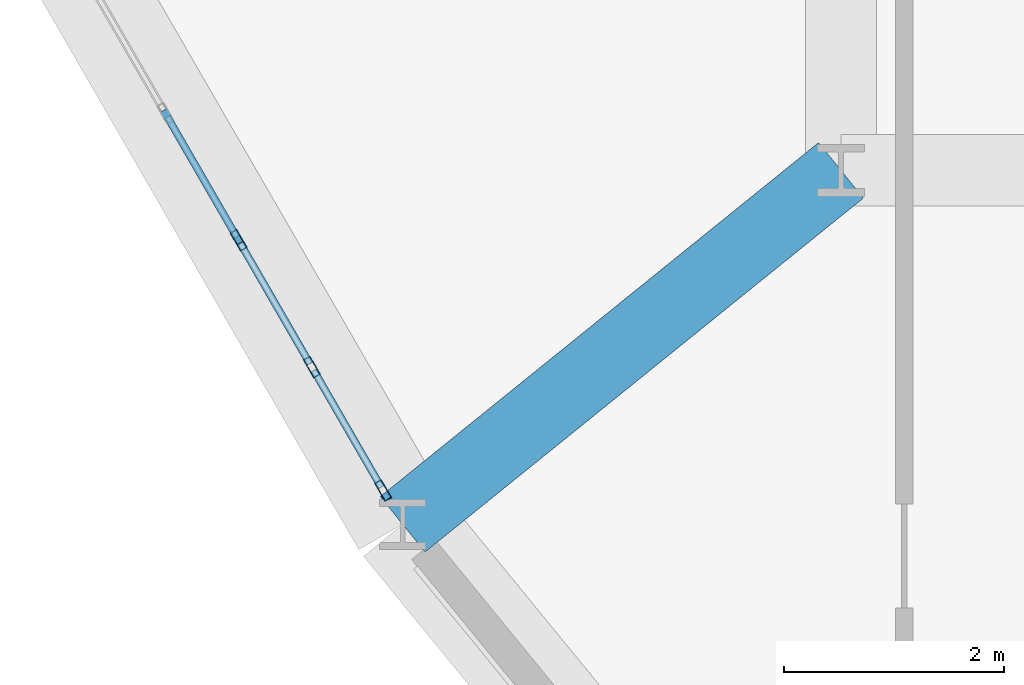
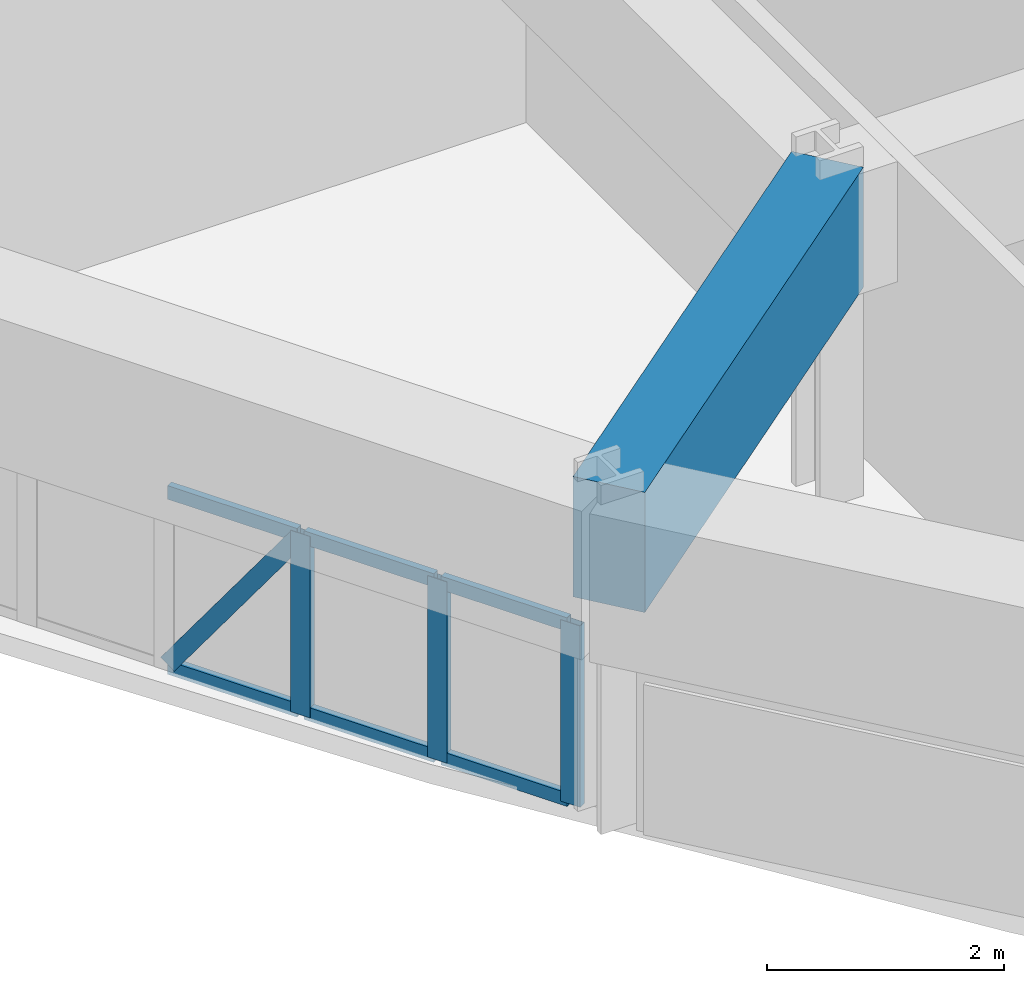
# One storey, part 2 of 15: 10 members, 1 beam, 1 element without a shape of its own.
"""IFC4 building model written with IfcOpenShell, lengths in metres."""

import ifcopenshell
import ifcopenshell.guid

model = None  # the IFC model being written
_history = None  # IfcOwnerHistory: only IFC2X3 demands one
_inside = {}  # id of a spatial element -> (the spatial element, [elements in it])
_under = {}  # id of a project, library or spatial element -> (it, [spatial elements below it])
_declared = {}  # id of a project -> (the project, [libraries it declares])
_typed = {}  # id of a type object -> (the type object, [elements of that type])
_made_of = {}  # id of a material, layer set ... -> (it, [elements and type objects made of it])


def new_model(schema):
    """Start an empty IFC model of exactly this schema.

    Asked for "IFC4X3", IfcOpenShell would pick the latest addendum, in which some entities
    have other attributes; the version numbers below select the first issue.
    IFC2X3 requires an IfcOwnerHistory on every rooted entity: one is made here for all.
    """
    global model, _history
    if schema == "IFC4X3":
        model = ifcopenshell.file(schema_version=(4, 3, 0, 0))
    else:
        model = ifcopenshell.file(schema=schema)
    _inside.clear()
    _under.clear()
    _declared.clear()
    _typed.clear()
    _made_of.clear()
    _history = None
    if model.schema == "IFC2X3":
        org = make("IfcOrganization", Name="unknown")
        user = make(
            "IfcPersonAndOrganization",
            ThePerson=make("IfcPerson", FamilyName="unknown"),
            TheOrganization=org,
        )
        app = make(
            "IfcApplication",
            ApplicationDeveloper=org,
            Version="unknown",
            ApplicationFullName="unknown",
            ApplicationIdentifier="unknown",
        )
        _history = make(
            "IfcOwnerHistory",
            OwningUser=user,
            OwningApplication=app,
            ChangeAction="ADDED",
            CreationDate=0,
        )
    return model


def make(cls, **values):
    """One entity of the class cls with the attributes given. An attribute that is None is left unset."""
    return model.create_entity(
        cls, **{name: value for name, value in values.items() if value is not None}
    )


def rooted(cls, **values):
    """An entity with a GlobalId (a new one), such as an element, a storey or a relation."""
    return make(cls, GlobalId=ifcopenshell.guid.new(), OwnerHistory=_history, **values)


def si_unit(unit_type, name, prefix=None):
    """IfcSIUnit, for example si_unit("LENGTHUNIT", "METRE", prefix="MILLI")."""
    return make("IfcSIUnit", UnitType=unit_type, Prefix=prefix, Name=name)


def derived_unit(unit_type, elements):
    """IfcDerivedUnit: a product of units, each with its exponent."""
    return make(
        "IfcDerivedUnit",
        Elements=[
            make("IfcDerivedUnitElement", Unit=unit, Exponent=power)
            for unit, power in elements
        ],
        UnitType=unit_type,
    )


def assignment(units):
    """IfcUnitAssignment: the units of a project."""
    return None if units is None else make("IfcUnitAssignment", Units=units)


def point(xyz):
    """IfcCartesianPoint."""
    return None if xyz is None else make("IfcCartesianPoint", Coordinates=xyz)


def direction(xyz):
    """IfcDirection."""
    return None if xyz is None else make("IfcDirection", DirectionRatios=xyz)


def frame(location, z_axis=None, x_axis=None):
    """IfcAxis2Placement3D, a coordinate frame: its origin and axes. An axis left out is left unset."""
    return make(
        "IfcAxis2Placement3D",
        Location=point(location),
        Axis=direction(z_axis),
        RefDirection=direction(x_axis),
    )


def frame_2d(location, x_axis=None):
    """IfcAxis2Placement2D, a coordinate frame in the plane: its origin and x axis."""
    return make(
        "IfcAxis2Placement2D", Location=point(location), RefDirection=direction(x_axis)
    )


def origin():
    """The frame at (0, 0, 0) with its axes left unset."""
    return frame((0.0, 0.0, 0.0))


def origin_2d():
    """The frame at (0, 0) in the plane with its x axis left unset."""
    return frame_2d((0.0, 0.0))


def place(relative_to, where):
    """IfcLocalPlacement: puts the frame where relative to a parent placement (None: the world)."""
    return make(
        "IfcLocalPlacement", PlacementRelTo=relative_to, RelativePlacement=where
    )


def context(
    kind, dimensions, precision=None, world=None, true_north=None, identifier=None
):
    """IfcGeometricRepresentationContext, for example the 3D "Model" context."""
    return make(
        "IfcGeometricRepresentationContext",
        ContextIdentifier=identifier,
        ContextType=kind,
        CoordinateSpaceDimension=dimensions,
        Precision=precision,
        WorldCoordinateSystem=world,
        TrueNorth=true_north,
    )


def subcontext(parent, identifier, kind, view, scale=None):
    """IfcGeometricRepresentationSubContext, for example "Body" below "Model"."""
    return make(
        "IfcGeometricRepresentationSubContext",
        ContextIdentifier=identifier,
        ContextType=kind,
        ParentContext=parent,
        TargetScale=scale,
        TargetView=view,
    )


def project(units=None, contexts=None):
    """IfcProject with its units and contexts."""
    return rooted(
        "IfcProject",
        Name="project",
        RepresentationContexts=contexts,
        UnitsInContext=assignment(units),
    )


def spatial(cls, under=None, at=None, **own):
    """A site, building, storey or space (cls), placed at a placement, below another one or the project."""
    s = rooted(cls, ObjectPlacement=at, **own)
    if under is not None:
        _under.setdefault(under.id(), (under, []))[1].append(s)
    return s


def profile(cls, at=None, kind="AREA", **sizes):
    """A parametric profile (cls). Its sizes go by their IFC names, for example OverallWidth=200.0."""
    return make(cls, ProfileType=kind, Position=at, **sizes)


def rectangle(**sizes):
    """IfcRectangleProfileDef."""
    return profile("IfcRectangleProfileDef", **sizes)


def hollow_rectangle(**sizes):
    """IfcRectangleHollowProfileDef."""
    return profile("IfcRectangleHollowProfileDef", **sizes)


def extrude(swept, where, along, depth):
    """IfcExtrudedAreaSolid: the profile swept, set in the frame where, extruded along a direction by depth."""
    return make(
        "IfcExtrudedAreaSolid",
        SweptArea=swept,
        Position=where,
        ExtrudedDirection=direction(along),
        Depth=depth,
    )


def shape(context_of_items, identifier, shape_type, items):
    """IfcShapeRepresentation: the items that make up one representation, for example the "Body"."""
    return make(
        "IfcShapeRepresentation",
        ContextOfItems=context_of_items,
        RepresentationIdentifier=identifier,
        RepresentationType=shape_type,
        Items=items,
    )


def source(mapping_origin, context_of_items, identifier, shape_type, items):
    """IfcRepresentationMap: a shape defined once, which mapped items show again and again."""
    return make(
        "IfcRepresentationMap",
        MappingOrigin=mapping_origin,
        MappedRepresentation=shape(context_of_items, identifier, shape_type, items),
    )


def transform(
    local_origin,
    x_axis=None,
    y_axis=None,
    z_axis=None,
    scale=None,
    scale2=None,
    scale3=None,
    uniform=True,
):
    """IfcCartesianTransformationOperator3D, or its non-uniform kind. x_axis, y_axis, z_axis: its Axis1, 2, 3."""
    if uniform:
        return make(
            "IfcCartesianTransformationOperator3D",
            Axis1=direction(x_axis),
            Axis2=direction(y_axis),
            LocalOrigin=point(local_origin),
            Scale=scale,
            Axis3=direction(z_axis),
        )
    return make(
        "IfcCartesianTransformationOperator3DnonUniform",
        Axis1=direction(x_axis),
        Axis2=direction(y_axis),
        LocalOrigin=point(local_origin),
        Scale=scale,
        Axis3=direction(z_axis),
        Scale2=scale2,
        Scale3=scale3,
    )


def mapped(mapping_source, mapping_target):
    """IfcMappedItem: shows the shape of a source again, moved by a transform."""
    return make(
        "IfcMappedItem", MappingSource=mapping_source, MappingTarget=mapping_target
    )


def material(Name=None, Category=None):
    """IfcMaterial."""
    return make("IfcMaterial", Name=Name, Category=Category)


def layer(
    of_material, thickness, ventilated=None, Name=None, Category=None, Priority=None
):
    """IfcMaterialLayer: one layer of a wall or slab, of a material (None: an air gap)."""
    return make(
        "IfcMaterialLayer",
        Material=of_material,
        LayerThickness=thickness,
        IsVentilated=ventilated,
        Name=Name,
        Category=Category,
        Priority=Priority,
    )


def layer_set(layers, Name=None):
    """IfcMaterialLayerSet."""
    return make("IfcMaterialLayerSet", MaterialLayers=layers, LayerSetName=Name)


def material_profile(
    of_material, cross_section, Name=None, Category=None, Priority=None
):
    """IfcMaterialProfile: a cross section and its material."""
    return make(
        "IfcMaterialProfile",
        Name=Name,
        Material=of_material,
        Profile=cross_section,
        Priority=Priority,
        Category=Category,
    )


def profile_set(profiles, Name=None, composite=None):
    """IfcMaterialProfileSet."""
    return make(
        "IfcMaterialProfileSet",
        Name=Name,
        MaterialProfiles=profiles,
        CompositeProfile=composite,
    )


def made_of(thing, what):
    """Note that an element or type object is made of a material, layer set ...; save() writes the relation."""
    if what is not None:
        _made_of.setdefault(what.id(), (what, []))[1].append(thing)
    return thing


def type_object(cls, material=None, **own):
    """A type object (cls), such as IfcWallType, which elements share."""
    return made_of(rooted(cls, **own), material)


def element(
    cls,
    number,
    at=None,
    inside=None,
    cuts=None,
    type_object=None,
    material=None,
    context=None,
    identifier="Body",
    shape_type=None,
    held_by="IfcProductDefinitionShape",
    body=None,
    shapes=None,
    **own,
):
    """One element of the class cls, such as IfcWall. Its Tag is "e" and its number.

    at: its placement. inside: the storey or other place that contains it. cuts: it is an
    opening in that element (IfcRelVoidsElement). A single representation is given by context,
    identifier, shape_type and body (its items); several are given by shapes. held_by: the class
    of the entity that holds the representations. save() writes the other relations.
    """
    e = rooted(cls, Tag="e%d" % number, ObjectPlacement=at, **own)
    if body is not None:
        shapes = [shape(context, identifier, shape_type, body)]
    if shapes is not None:
        e.Representation = make(held_by, Representations=shapes)
    if inside is not None:
        _inside.setdefault(inside.id(), (inside, []))[1].append(e)
    if cuts is not None:
        rooted(
            "IfcRelVoidsElement", RelatingBuildingElement=cuts, RelatedOpeningElement=e
        )
    if type_object is not None:
        _typed.setdefault(type_object.id(), (type_object, []))[1].append(e)
    return made_of(e, material)


def aggregate(whole, parts):
    """IfcRelAggregates: a whole, such as a stair, and the parts it consists of."""
    return rooted("IfcRelAggregates", RelatingObject=whole, RelatedObjects=parts)


def save(model, path):
    """Write the relations noted so far, then the file.

    IfcRelAggregates (storeys below a building ...), IfcRelContainedInSpatialStructure (elements
    in a storey), IfcRelDefinesByType, IfcRelAssociatesMaterial and IfcRelDeclares: one each for
    every whole, place, type object, material and project.
    """
    for whole, parts in _under.values():
        aggregate(whole, parts)
    for where, things in _inside.values():
        rooted(
            "IfcRelContainedInSpatialStructure",
            RelatedElements=things,
            RelatingStructure=where,
        )
    for kind, things in _typed.values():
        rooted("IfcRelDefinesByType", RelatedObjects=things, RelatingType=kind)
    for what, things in _made_of.values():
        rooted("IfcRelAssociatesMaterial", RelatedObjects=things, RelatingMaterial=what)
    for by, libraries in _declared.values():
        rooted("IfcRelDeclares", RelatingContext=by, RelatedDefinitions=libraries)
    model.write(path)


model = new_model("IFC4")

# Units and contexts
model_context = context("Model", 3, precision=1e-05, world=origin(), true_north=direction((0.0, 1.0)))
body_context = subcontext(model_context, "Body", "Model", "MODEL_VIEW")
ifc_project = project(units=[si_unit("LENGTHUNIT", "METRE"), si_unit("AREAUNIT", "SQUARE_METRE"), si_unit("VOLUMEUNIT", "CUBIC_METRE"), si_unit("PLANEANGLEUNIT", "RADIAN"), si_unit("MASSUNIT", "GRAM", prefix="KILO"), derived_unit("THERMALTRANSMITTANCEUNIT", [(si_unit("POWERUNIT", "WATT"), 1), (si_unit("LENGTHUNIT", "METRE"), -2), (si_unit("THERMODYNAMICTEMPERATUREUNIT", "KELVIN"), -1)])], contexts=[model_context])

# Site, building, storey
site_placement = place(None, origin())
site = spatial("IfcSite", under=ifc_project, at=site_placement, CompositionType="ELEMENT")
building_placement = place(site_placement, origin())
building = spatial("IfcBuilding", under=site, at=building_placement, Name="Korsvarv Bourse and Concert Hall", CompositionType="ELEMENT")
storey_placement = place(building_placement, frame((0.0, 0.0, 113.39990234375)))
storey = spatial("IfcBuildingStorey", under=building, at=storey_placement, Name="L28", CompositionType="ELEMENT", Elevation=113.39990234375)

# Beam
ifc_material_1 = material(Name="Concrete C50/60", Category="concrete")
ifc_material_profile_1 = material_profile(ifc_material_1, rectangle(XDim=0.64990234375, YDim=1.239990234375, at=origin_2d()), Name="RC-BM 650x1240")
ifc_profile_set_1 = profile_set([ifc_material_profile_1], Name="Concrete C50/60")
beam_type = type_object("IfcBeamType", Name="BM-TR-SPN", PredefinedType="BEAM", material=ifc_profile_set_1)
shared_shape_1 = source(origin(), body_context, "Body", "SweptSolid", [
    extrude(rectangle(XDim=0.64990234375, YDim=1.239990234375, at=origin_2d()), origin(), (0.0, 0.0, 1.0), 5.132080078125),
])
beam_placement = place(storey_placement, frame((23.607177734375, 20.77587890625, 2.780029296875), z_axis=(0.778029713996, 0.62822747802, 0.0), x_axis=(-0.62822747802, 0.778029713996, 0.0)))
element("IfcBeam", 1, at=beam_placement, inside=storey, type_object=beam_type, Name="L28 beam B-TRS", PredefinedType="BEAM", context=body_context, shape_type="MappedRepresentation", body=[
    mapped(shared_shape_1, transform((0.0, 0.0, 0.0), scale=1.0)),
])

# Curtain wall, members
ifc_material_2 = material(Name="Anodised aluminium and triple low-E glazing", Category="glass")
ifc_layer = layer(ifc_material_2, 0.2099609375)
ifc_layer_set = layer_set([ifc_layer], Name="Anodised aluminium and triple low-E glazing")
curtain_wall_type = type_object("IfcCurtainWallType", Name="CW-SYS-2", PredefinedType="NOTDEFINED", material=ifc_layer_set)
curtain_wall_placement = place(storey_placement, origin())
curtain_wall = element("IfcCurtainWall", 2, at=curtain_wall_placement, inside=storey, type_object=curtain_wall_type, Name="L28 CW2 curtain wall CW-L28-F07", PredefinedType="NOTDEFINED")
ifc_material_3 = material(Name="Extruded aluminium EN AW-6063 T66", Category="aluminium")
ifc_material_profile_2 = material_profile(ifc_material_3, hollow_rectangle(XDim=0.070068359375, YDim=0.18994140625, WallThickness=0.0048828125, at=origin_2d()), Name="ALU-M 70x190")
ifc_profile_set_2 = profile_set([ifc_material_profile_2], Name="Extruded aluminium EN AW-6063 T66")
member_type_1 = type_object("IfcMemberType", Name="CWM-190", PredefinedType="MULLION", material=ifc_profile_set_2)
shared_shape_2 = source(origin(), body_context, "Body", "SweptSolid", [
    extrude(hollow_rectangle(XDim=0.070068359375, YDim=0.18994140625, WallThickness=0.0048828125, at=origin_2d()), origin(), (0.0, 0.0, 1.0), 1.8701171875),
])
member_1_placement = place(storey_placement, frame((22.113525390625, 23.363037109375, 0.0), z_axis=(0.0, 0.0, 1.0), x_axis=(0.866021744853, 0.500006337402, 0.0)))
member_1 = element("IfcMember", 3, at=member_1_placement, type_object=member_type_1, Name="CW2 mullion 9", PredefinedType="MULLION", context=body_context, shape_type="MappedRepresentation", body=[
    mapped(shared_shape_2, transform((0.0, 0.0, 0.0), scale=1.0)),
])
member_2_placement = place(storey_placement, frame((22.7802734375, 22.208251953125, 0.0), z_axis=(0.0, 0.0, 1.0), x_axis=(0.866021744853, 0.500006337402, 0.0)))
member_2 = element("IfcMember", 4, at=member_2_placement, type_object=member_type_1, Name="CW2 mullion 10", PredefinedType="MULLION", context=body_context, shape_type="MappedRepresentation", body=[
    mapped(shared_shape_2, transform((0.0, 0.0, 0.0), scale=1.0)),
])
member_3_placement = place(storey_placement, frame((23.429443359375, 21.083740234375, 0.0), z_axis=(0.0, 0.0, 1.0), x_axis=(0.866021744853, 0.500006337402, 0.0)))
member_3 = element("IfcMember", 5, at=member_3_placement, type_object=member_type_1, Name="CW2 mullion 11", PredefinedType="MULLION", context=body_context, shape_type="MappedRepresentation", body=[
    mapped(shared_shape_2, transform((0.0, 0.0, 0.0), scale=1.0)),
])
ifc_material_profile_3 = material_profile(ifc_material_3, hollow_rectangle(XDim=0.06494140625, YDim=0.139892578125, WallThickness=0.00390625, at=origin_2d()), Name="ALU-T 65x140")
ifc_profile_set_3 = profile_set([ifc_material_profile_3], Name="Extruded aluminium EN AW-6063 T66")
member_type_2 = type_object("IfcMemberType", Name="CWT-140", PredefinedType="USERDEFINED", material=ifc_profile_set_3)
shared_shape_3 = source(origin(), body_context, "Body", "SweptSolid", [
    extrude(hollow_rectangle(XDim=0.06494140625, YDim=0.139892578125, WallThickness=0.00390625, at=origin_2d()), origin(), (0.0, 0.0, 1.0), 1.263671875),
])
member_4_placement = place(storey_placement, frame((21.464111328125, 24.487548828125, 0.03271484375), z_axis=(0.500045805297, -0.865998956469, 0.0), x_axis=(0.865998956469, 0.500045805297, 0.0)))
member_4 = element("IfcMember", 6, at=member_4_placement, type_object=member_type_2, Name="CW2 transom 8.1", ObjectType="TRANSOM", PredefinedType="USERDEFINED", context=body_context, shape_type="MappedRepresentation", body=[
    mapped(shared_shape_3, transform((0.0, 0.0, 0.0), scale=1.0)),
])
member_5_placement = place(storey_placement, frame((21.464111328125, 24.487548828125, 1.837646484375), z_axis=(0.500045805297, -0.865998956469, 0.0), x_axis=(0.865998956469, 0.500045805297, 0.0)))
member_5 = element("IfcMember", 7, at=member_5_placement, type_object=member_type_2, Name="CW2 transom 8.2", ObjectType="TRANSOM", PredefinedType="USERDEFINED", context=body_context, shape_type="MappedRepresentation", body=[
    mapped(shared_shape_3, transform((0.0, 0.0, 0.0), scale=1.0)),
])
member_6_placement = place(storey_placement, frame((22.130859375, 23.332763671875, 0.03271484375), z_axis=(0.500045805297, -0.865998956469, 0.0), x_axis=(0.865998956469, 0.500045805297, 0.0)))
member_6 = element("IfcMember", 8, at=member_6_placement, type_object=member_type_2, Name="CW2 transom 9.1", ObjectType="TRANSOM", PredefinedType="USERDEFINED", context=body_context, shape_type="MappedRepresentation", body=[
    mapped(shared_shape_3, transform((0.0, 0.0, 0.0), scale=1.0)),
])
member_7_placement = place(storey_placement, frame((22.130859375, 23.332763671875, 1.837646484375), z_axis=(0.500045805297, -0.865998956469, 0.0), x_axis=(0.865998956469, 0.500045805297, 0.0)))
member_7 = element("IfcMember", 9, at=member_7_placement, type_object=member_type_2, Name="CW2 transom 9.2", ObjectType="TRANSOM", PredefinedType="USERDEFINED", context=body_context, shape_type="MappedRepresentation", body=[
    mapped(shared_shape_3, transform((0.0, 0.0, 0.0), scale=1.0)),
])
ifc_material_profile_4 = material_profile(ifc_material_3, hollow_rectangle(XDim=0.06494140625, YDim=0.1650390625, WallThickness=0.0048828125, at=origin_2d()), Name="ALU-M 65x165")
ifc_profile_set_4 = profile_set([ifc_material_profile_4], Name="Extruded aluminium EN AW-6063 T66")
member_type_3 = type_object("IfcMemberType", Name="CWM-165", PredefinedType="MULLION", material=ifc_profile_set_4)
shared_shape_4 = source(origin(), body_context, "Body", "SweptSolid", [
    extrude(hollow_rectangle(XDim=0.06494140625, YDim=0.1650390625, WallThickness=0.0048828125, at=origin_2d()), origin(), (0.0, 0.0, 1.0), 2.150390625),
])
member_8_placement = place(storey_placement, frame((21.464111328125, 24.487548828125, 0.065185546875), z_axis=(0.293825059629, -0.508857773283, 0.809154250377), x_axis=(0.865998956469, 0.500045805297, 0.0)))
member_8 = element("IfcMember", 10, at=member_8_placement, type_object=member_type_3, Name="CW2 diagonal mullion 8", PredefinedType="MULLION", context=body_context, shape_type="MappedRepresentation", body=[
    mapped(shared_shape_4, transform((0.0, 0.0, 0.0), scale=1.0)),
])
shared_shape_5 = source(origin(), body_context, "Body", "SweptSolid", [
    extrude(hollow_rectangle(XDim=0.06494140625, YDim=0.139892578125, WallThickness=0.00390625, at=origin_2d()), origin(), (0.0, 0.0, 1.0), 1.228515625),
])
member_9_placement = place(storey_placement, frame((22.7978515625, 22.177978515625, 0.03271484375), z_axis=(0.499986217557, -0.866033360935, 0.0), x_axis=(0.866033360935, 0.499986217557, 0.0)))
member_9 = element("IfcMember", 11, at=member_9_placement, type_object=member_type_2, Name="CW2 transom 10.1", ObjectType="TRANSOM", PredefinedType="USERDEFINED", context=body_context, shape_type="MappedRepresentation", body=[
    mapped(shared_shape_5, transform((0.0, 0.0, 0.0), scale=1.0)),
])
member_10_placement = place(storey_placement, frame((22.7978515625, 22.177978515625, 1.837646484375), z_axis=(0.499986217557, -0.866033360935, 0.0), x_axis=(0.866033360935, 0.499986217557, 0.0)))
member_10 = element("IfcMember", 12, at=member_10_placement, type_object=member_type_2, Name="CW2 transom 10.2", ObjectType="TRANSOM", PredefinedType="USERDEFINED", context=body_context, shape_type="MappedRepresentation", body=[
    mapped(shared_shape_5, transform((0.0, 0.0, 0.0), scale=1.0)),
])
aggregate(curtain_wall, [member_1, member_2, member_3, member_4, member_5, member_8, member_6, member_7, member_9, member_10])

save(model, "model.ifc")
